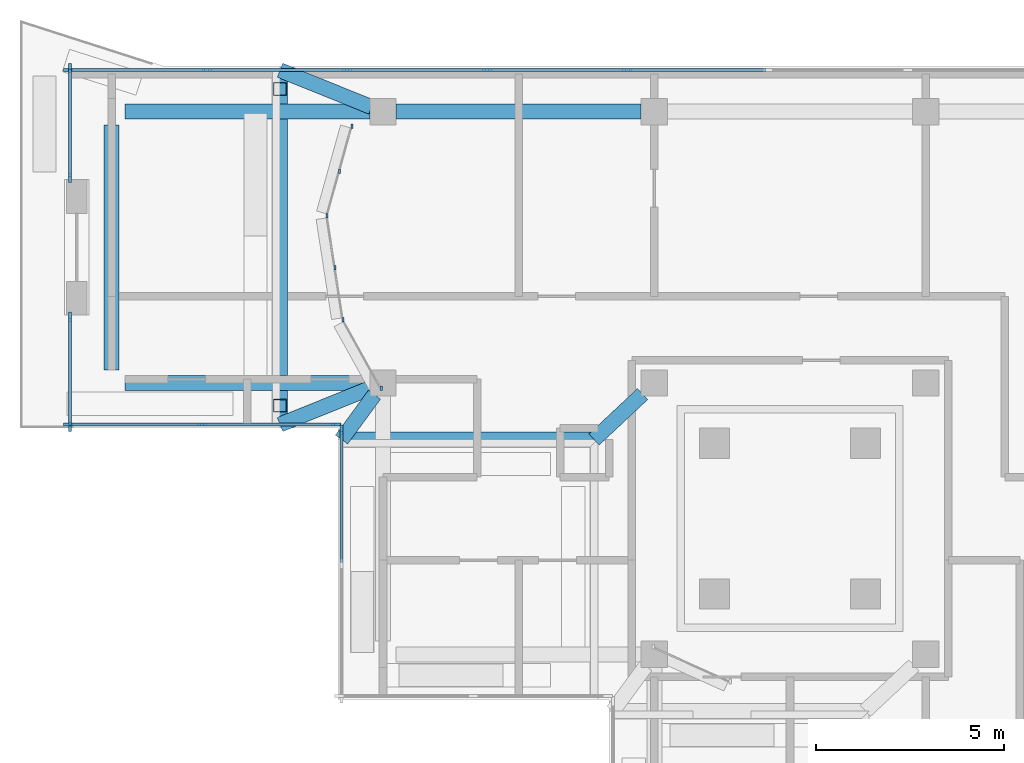
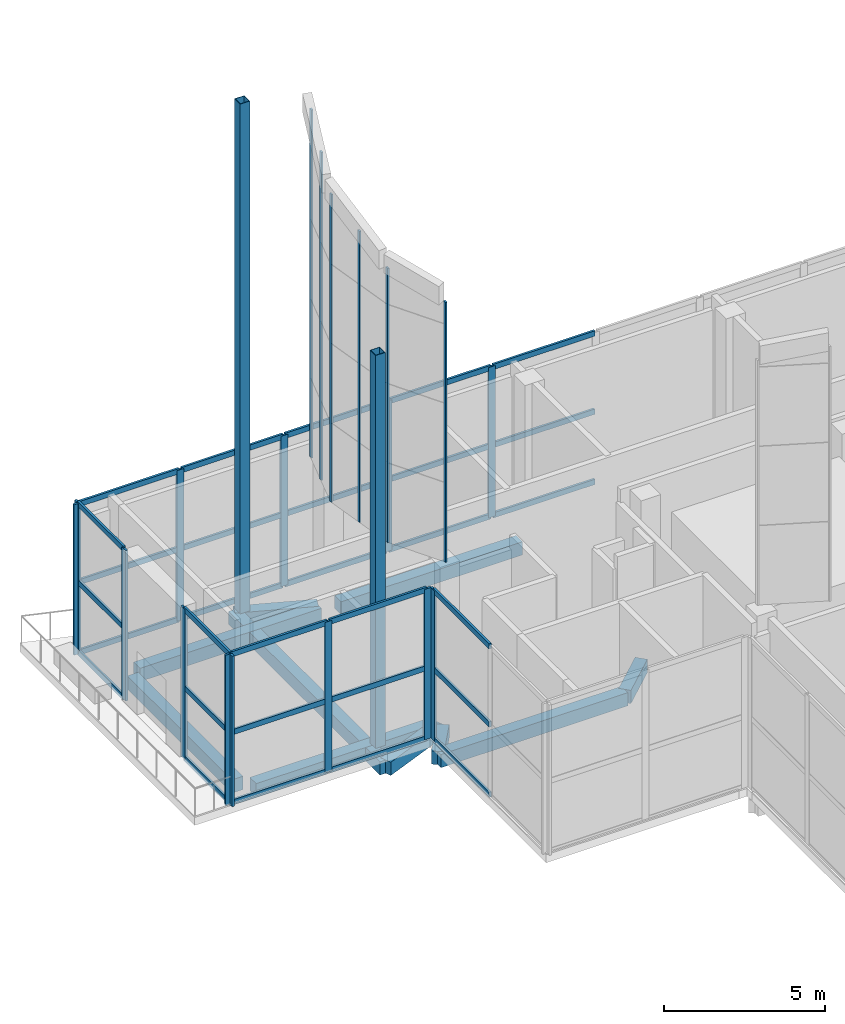
# One storey, part 6 of 19: 51 members, 10 beams, 8 elements without a shape of their own.
"""IFC4 building model written with IfcOpenShell, lengths in metres."""

from ifc_helpers import new_model, si_unit, direction, frame, origin, origin_2d, place, context, subcontext, project, spatial, rectangle, hollow_rectangle, extrude, material, material_profile, profile_set, type_object, element, aggregate, save


model = new_model("IFC4")

# Units and contexts
model_context = context("Model", 3, precision=1e-05, world=origin(), true_north=direction((0.0, 1.0)))
body_context = subcontext(model_context, "Body", "Model", "MODEL_VIEW")
ifc_project = project(units=[si_unit("LENGTHUNIT", "METRE"), si_unit("AREAUNIT", "SQUARE_METRE"), si_unit("VOLUMEUNIT", "CUBIC_METRE"), si_unit("PLANEANGLEUNIT", "RADIAN"), si_unit("MASSUNIT", "GRAM", prefix="KILO")], contexts=[model_context])

# Site, building, storey
site_placement = place(None, origin())
site = spatial("IfcSite", under=ifc_project, at=site_placement, CompositionType="ELEMENT")
building_placement = place(site_placement, origin())
building = spatial("IfcBuilding", under=site, at=building_placement, Name="Windrow Commons", CompositionType="ELEMENT")
storey_placement = place(building_placement, frame((0.0, 0.0, 284.6)))
storey = spatial("IfcBuildingStorey", under=building, at=storey_placement, Name="L78", CompositionType="ELEMENT", Elevation=284.6)

# Curtain wall, members
ifc_material_1 = material(Name="Clear laminated glass in Aluminium 6063-T6 anodised frame", Category="aluminium")
curtain_wall_type_1 = type_object("IfcCurtainWallType", Name="Curtain wall CW3 damper floor", PredefinedType="USERDEFINED", material=ifc_material_1)
placement = place(storey_placement, origin())
curtain_wall_1 = element("IfcCurtainWall", 1, at=placement, inside=storey, type_object=curtain_wall_type_1, Name="Curtain wall CW3 L78 5", ObjectType="STRUCTURAL SILICONE", PredefinedType="USERDEFINED")
ifc_material_2 = material(Name="Aluminium 6063-T6", Category="aluminium")
ifc_material_profile_1 = material_profile(ifc_material_2, rectangle(XDim=0.08, YDim=0.25, at=origin_2d()))
ifc_profile_set_1 = profile_set([ifc_material_profile_1], Name="Aluminium 6063-T6")
member_type_1 = type_object("IfcMemberType", Name="CW3 mullion 80x250", PredefinedType="MULLION", material=ifc_profile_set_1)
member_1_placement = place(storey_placement, frame((42.4849, 73.1, 0.0), z_axis=(0.0, 0.0, 1.0), x_axis=(0.0, -1.0, 0.0)))
member_1 = element("IfcMember", 2, at=member_1_placement, type_object=member_type_1, Name="CW3 mullion 11", PredefinedType="MULLION", context=body_context, shape_type="SweptSolid", body=[
    extrude(rectangle(XDim=0.08, YDim=0.25, at=origin_2d()), origin(), (0.0, 0.0, 1.0), 5.7),
])
member_2_placement = place(storey_placement, frame((38.7637, 73.1, 0.0), z_axis=(0.0, 0.0, 1.0), x_axis=(0.0, -1.0, 0.0)))
member_2 = element("IfcMember", 3, at=member_2_placement, type_object=member_type_1, Name="CW3 mullion 12", PredefinedType="MULLION", context=body_context, shape_type="SweptSolid", body=[
    extrude(rectangle(XDim=0.08, YDim=0.25, at=origin_2d()), origin(), (0.0, 0.0, 1.0), 5.7),
])
member_3_placement = place(storey_placement, frame((35.0424, 73.1, 0.0), z_axis=(0.0, 0.0, 1.0), x_axis=(0.0, -1.0, 0.0)))
member_3 = element("IfcMember", 4, at=member_3_placement, type_object=member_type_1, Name="CW3 mullion 13", PredefinedType="MULLION", context=body_context, shape_type="SweptSolid", body=[
    extrude(rectangle(XDim=0.08, YDim=0.25, at=origin_2d()), origin(), (0.0, 0.0, 1.0), 5.7),
])
member_4_placement = place(storey_placement, frame((31.3212, 73.1, 0.0), z_axis=(0.0, 0.0, 1.0), x_axis=(0.0, -1.0, 0.0)))
member_4 = element("IfcMember", 5, at=member_4_placement, type_object=member_type_1, Name="CW3 mullion 14", PredefinedType="MULLION", context=body_context, shape_type="SweptSolid", body=[
    extrude(rectangle(XDim=0.08, YDim=0.25, at=origin_2d()), origin(), (0.0, 0.0, 1.0), 5.7),
])
member_5_placement = place(storey_placement, frame((27.64, 73.1, 0.0), z_axis=(0.0, 0.0, 1.0), x_axis=(0.0, -1.0, 0.0)))
member_5 = element("IfcMember", 6, at=member_5_placement, type_object=member_type_1, Name="CW3 mullion 15", PredefinedType="MULLION", context=body_context, shape_type="SweptSolid", body=[
    extrude(rectangle(XDim=0.08, YDim=0.25, at=origin_2d()), origin(), (0.0, 0.0, 1.0), 5.7),
])

curtain_wall_2 = element("IfcCurtainWall", 7, at=placement, inside=storey, type_object=curtain_wall_type_1, Name="Curtain wall CW3 L78 6.1", ObjectType="STRUCTURAL SILICONE", PredefinedType="USERDEFINED")
member_6_placement = place(storey_placement, frame((27.7, 73.16, 0.0), z_axis=(0.0, 0.0, 1.0), x_axis=(1.0, 0.0, 0.0)))
member_6 = element("IfcMember", 8, at=member_6_placement, type_object=member_type_1, Name="CW3 mullion 1", PredefinedType="MULLION", context=body_context, shape_type="SweptSolid", body=[
    extrude(rectangle(XDim=0.08, YDim=0.25, at=origin_2d()), origin(), (0.0, 0.0, 1.0), 5.7),
])
member_7_placement = place(storey_placement, frame((27.7, 70.24, 0.0), z_axis=(0.0, 0.0, 1.0), x_axis=(1.0, 0.0, 0.0)))
member_7 = element("IfcMember", 9, at=member_7_placement, type_object=member_type_1, Name="CW3 mullion 2", PredefinedType="MULLION", context=body_context, shape_type="SweptSolid", body=[
    extrude(rectangle(XDim=0.08, YDim=0.25, at=origin_2d()), origin(), (0.0, 0.0, 1.0), 5.7),
])

curtain_wall_3 = element("IfcCurtainWall", 10, at=placement, inside=storey, type_object=curtain_wall_type_1, Name="Curtain wall CW3 L78 6.2", ObjectType="STRUCTURAL SILICONE", PredefinedType="USERDEFINED")
member_8_placement = place(storey_placement, frame((27.7, 66.56, 0.0), z_axis=(0.0, 0.0, 1.0), x_axis=(1.0, 0.0, 0.0)))
member_8 = element("IfcMember", 11, at=member_8_placement, type_object=member_type_1, Name="CW3 mullion 1", PredefinedType="MULLION", context=body_context, shape_type="SweptSolid", body=[
    extrude(rectangle(XDim=0.08, YDim=0.25, at=origin_2d()), origin(), (0.0, 0.0, 1.0), 5.7),
])
member_9_placement = place(storey_placement, frame((27.7, 63.64, 0.0), z_axis=(0.0, 0.0, 1.0), x_axis=(1.0, 0.0, 0.0)))
member_9 = element("IfcMember", 12, at=member_9_placement, type_object=member_type_1, Name="CW3 mullion 2", PredefinedType="MULLION", context=body_context, shape_type="SweptSolid", body=[
    extrude(rectangle(XDim=0.08, YDim=0.25, at=origin_2d()), origin(), (0.0, 0.0, 1.0), 5.7),
])

curtain_wall_4 = element("IfcCurtainWall", 13, at=placement, inside=storey, type_object=curtain_wall_type_1, Name="Curtain wall CW3 L78 7", ObjectType="STRUCTURAL SILICONE", PredefinedType="USERDEFINED")
member_10_placement = place(storey_placement, frame((27.64, 63.7, 0.0), z_axis=(0.0, 0.0, 1.0), x_axis=(0.0, 1.0, 0.0)))
member_10 = element("IfcMember", 14, at=member_10_placement, type_object=member_type_1, Name="CW3 mullion 1", PredefinedType="MULLION", context=body_context, shape_type="SweptSolid", body=[
    extrude(rectangle(XDim=0.08, YDim=0.25, at=origin_2d()), origin(), (0.0, 0.0, 1.0), 5.7),
])
member_11_placement = place(storey_placement, frame((31.2, 63.7, 0.0), z_axis=(0.0, 0.0, 1.0), x_axis=(0.0, 1.0, 0.0)))
member_11 = element("IfcMember", 15, at=member_11_placement, type_object=member_type_1, Name="CW3 mullion 2", PredefinedType="MULLION", context=body_context, shape_type="SweptSolid", body=[
    extrude(rectangle(XDim=0.08, YDim=0.25, at=origin_2d()), origin(), (0.0, 0.0, 1.0), 5.7),
])
member_12_placement = place(storey_placement, frame((34.76, 63.7, 0.0), z_axis=(0.0, 0.0, 1.0), x_axis=(0.0, 1.0, 0.0)))
member_12 = element("IfcMember", 16, at=member_12_placement, type_object=member_type_1, Name="CW3 mullion 3", PredefinedType="MULLION", context=body_context, shape_type="SweptSolid", body=[
    extrude(rectangle(XDim=0.08, YDim=0.25, at=origin_2d()), origin(), (0.0, 0.0, 1.0), 5.7),
])

# Curtain wall, member
curtain_wall_5 = element("IfcCurtainWall", 17, at=placement, inside=storey, type_object=curtain_wall_type_1, Name="Curtain wall CW3 L78 8", ObjectType="STRUCTURAL SILICONE", PredefinedType="USERDEFINED")
member_13_placement = place(storey_placement, frame((34.9, 63.56, 0.0), z_axis=(0.0, 0.0, 1.0), x_axis=(1.0, 0.0, 0.0)))
member_13 = element("IfcMember", 18, at=member_13_placement, type_object=member_type_1, Name="CW3 mullion 1", PredefinedType="MULLION", context=body_context, shape_type="SweptSolid", body=[
    extrude(rectangle(XDim=0.08, YDim=0.25, at=origin_2d()), origin(), (0.0, 0.0, 1.0), 5.7),
])

# Member
ifc_material_3 = material(Name="Aluminium 6063-T6", Category="aluminium")
ifc_material_profile_2 = material_profile(ifc_material_3, rectangle(XDim=0.08, YDim=0.2, at=origin_2d()))
ifc_profile_set_2 = profile_set([ifc_material_profile_2], Name="Aluminium 6063-T6")
member_type_2 = type_object("IfcMemberType", Name="CW3 transom 80x200", PredefinedType="USERDEFINED", material=ifc_profile_set_2)
member_14_placement = place(storey_placement, frame((46.1661, 73.1, 0.04), z_axis=(-1.0, 0.0, 0.0), x_axis=(0.0, -1.0, 0.0)))
member_14 = element("IfcMember", 19, at=member_14_placement, type_object=member_type_2, Name="CW3 transom 10.1", ObjectType="TRANSOM", PredefinedType="USERDEFINED", context=body_context, shape_type="SweptSolid", body=[
    extrude(rectangle(XDim=0.08, YDim=0.2, at=origin_2d()), origin(), (0.0, 0.0, 1.0), 3.6412),
])

member_15_placement = place(storey_placement, frame((46.1661, 73.1, 2.7), z_axis=(-1.0, 0.0, 0.0), x_axis=(0.0, -1.0, 0.0)))
member_15 = element("IfcMember", 20, at=member_15_placement, type_object=member_type_2, Name="CW3 transom 10.2", ObjectType="TRANSOM", PredefinedType="USERDEFINED", context=body_context, shape_type="SweptSolid", body=[
    extrude(rectangle(XDim=0.08, YDim=0.2, at=origin_2d()), origin(), (0.0, 0.0, 1.0), 3.6412),
])

member_16_placement = place(storey_placement, frame((46.1661, 73.1, 5.66), z_axis=(-1.0, 0.0, 0.0), x_axis=(0.0, -1.0, 0.0)))
member_16 = element("IfcMember", 21, at=member_16_placement, type_object=member_type_2, Name="CW3 transom 10.3", ObjectType="TRANSOM", PredefinedType="USERDEFINED", context=body_context, shape_type="SweptSolid", body=[
    extrude(rectangle(XDim=0.08, YDim=0.2, at=origin_2d()), origin(), (0.0, 0.0, 1.0), 3.6412),
])

member_17_placement = place(storey_placement, frame((42.4449, 73.1, 0.04), z_axis=(-1.0, 0.0, 0.0), x_axis=(0.0, -1.0, 0.0)))
member_17 = element("IfcMember", 22, at=member_17_placement, type_object=member_type_2, Name="CW3 transom 11.1", ObjectType="TRANSOM", PredefinedType="USERDEFINED", context=body_context, shape_type="SweptSolid", body=[
    extrude(rectangle(XDim=0.08, YDim=0.2, at=origin_2d()), origin(), (0.0, 0.0, 1.0), 3.6412),
])

member_18_placement = place(storey_placement, frame((42.4449, 73.1, 2.7), z_axis=(-1.0, 0.0, 0.0), x_axis=(0.0, -1.0, 0.0)))
member_18 = element("IfcMember", 23, at=member_18_placement, type_object=member_type_2, Name="CW3 transom 11.2", ObjectType="TRANSOM", PredefinedType="USERDEFINED", context=body_context, shape_type="SweptSolid", body=[
    extrude(rectangle(XDim=0.08, YDim=0.2, at=origin_2d()), origin(), (0.0, 0.0, 1.0), 3.6412),
])

member_19_placement = place(storey_placement, frame((42.4449, 73.1, 5.66), z_axis=(-1.0, 0.0, 0.0), x_axis=(0.0, -1.0, 0.0)))
member_19 = element("IfcMember", 24, at=member_19_placement, type_object=member_type_2, Name="CW3 transom 11.3", ObjectType="TRANSOM", PredefinedType="USERDEFINED", context=body_context, shape_type="SweptSolid", body=[
    extrude(rectangle(XDim=0.08, YDim=0.2, at=origin_2d()), origin(), (0.0, 0.0, 1.0), 3.6412),
])

member_20_placement = place(storey_placement, frame((38.7237, 73.1, 0.04), z_axis=(-1.0, 0.0, 0.0), x_axis=(0.0, -1.0, 0.0)))
member_20 = element("IfcMember", 25, at=member_20_placement, type_object=member_type_2, Name="CW3 transom 12.1", ObjectType="TRANSOM", PredefinedType="USERDEFINED", context=body_context, shape_type="SweptSolid", body=[
    extrude(rectangle(XDim=0.08, YDim=0.2, at=origin_2d()), origin(), (0.0, 0.0, 1.0), 3.6413),
])

member_21_placement = place(storey_placement, frame((38.7237, 73.1, 2.7), z_axis=(-1.0, 0.0, 0.0), x_axis=(0.0, -1.0, 0.0)))
member_21 = element("IfcMember", 26, at=member_21_placement, type_object=member_type_2, Name="CW3 transom 12.2", ObjectType="TRANSOM", PredefinedType="USERDEFINED", context=body_context, shape_type="SweptSolid", body=[
    extrude(rectangle(XDim=0.08, YDim=0.2, at=origin_2d()), origin(), (0.0, 0.0, 1.0), 3.6413),
])

member_22_placement = place(storey_placement, frame((38.7237, 73.1, 5.66), z_axis=(-1.0, 0.0, 0.0), x_axis=(0.0, -1.0, 0.0)))
member_22 = element("IfcMember", 27, at=member_22_placement, type_object=member_type_2, Name="CW3 transom 12.3", ObjectType="TRANSOM", PredefinedType="USERDEFINED", context=body_context, shape_type="SweptSolid", body=[
    extrude(rectangle(XDim=0.08, YDim=0.2, at=origin_2d()), origin(), (0.0, 0.0, 1.0), 3.6413),
])

member_23_placement = place(storey_placement, frame((35.0024, 73.1, 0.04), z_axis=(-1.0, 0.0, 0.0), x_axis=(0.0, -1.0, 0.0)))
member_23 = element("IfcMember", 28, at=member_23_placement, type_object=member_type_2, Name="CW3 transom 13.1", ObjectType="TRANSOM", PredefinedType="USERDEFINED", context=body_context, shape_type="SweptSolid", body=[
    extrude(rectangle(XDim=0.08, YDim=0.2, at=origin_2d()), origin(), (0.0, 0.0, 1.0), 3.6412),
])

member_24_placement = place(storey_placement, frame((35.0024, 73.1, 2.7), z_axis=(-1.0, 0.0, 0.0), x_axis=(0.0, -1.0, 0.0)))
member_24 = element("IfcMember", 29, at=member_24_placement, type_object=member_type_2, Name="CW3 transom 13.2", ObjectType="TRANSOM", PredefinedType="USERDEFINED", context=body_context, shape_type="SweptSolid", body=[
    extrude(rectangle(XDim=0.08, YDim=0.2, at=origin_2d()), origin(), (0.0, 0.0, 1.0), 3.6412),
])

member_25_placement = place(storey_placement, frame((35.0024, 73.1, 5.66), z_axis=(-1.0, 0.0, 0.0), x_axis=(0.0, -1.0, 0.0)))
member_25 = element("IfcMember", 30, at=member_25_placement, type_object=member_type_2, Name="CW3 transom 13.3", ObjectType="TRANSOM", PredefinedType="USERDEFINED", context=body_context, shape_type="SweptSolid", body=[
    extrude(rectangle(XDim=0.08, YDim=0.2, at=origin_2d()), origin(), (0.0, 0.0, 1.0), 3.6412),
])

member_26_placement = place(storey_placement, frame((31.2812, 73.1, 0.04), z_axis=(-1.0, 0.0, 0.0), x_axis=(0.0, -1.0, 0.0)))
member_26 = element("IfcMember", 31, at=member_26_placement, type_object=member_type_2, Name="CW3 transom 14.1", ObjectType="TRANSOM", PredefinedType="USERDEFINED", context=body_context, shape_type="SweptSolid", body=[
    extrude(rectangle(XDim=0.08, YDim=0.2, at=origin_2d()), origin(), (0.0, 0.0, 1.0), 3.6012),
])

member_27_placement = place(storey_placement, frame((31.2812, 73.1, 2.7), z_axis=(-1.0, 0.0, 0.0), x_axis=(0.0, -1.0, 0.0)))
member_27 = element("IfcMember", 32, at=member_27_placement, type_object=member_type_2, Name="CW3 transom 14.2", ObjectType="TRANSOM", PredefinedType="USERDEFINED", context=body_context, shape_type="SweptSolid", body=[
    extrude(rectangle(XDim=0.08, YDim=0.2, at=origin_2d()), origin(), (0.0, 0.0, 1.0), 3.6012),
])

member_28_placement = place(storey_placement, frame((31.2812, 73.1, 5.66), z_axis=(-1.0, 0.0, 0.0), x_axis=(0.0, -1.0, 0.0)))
member_28 = element("IfcMember", 33, at=member_28_placement, type_object=member_type_2, Name="CW3 transom 14.3", ObjectType="TRANSOM", PredefinedType="USERDEFINED", context=body_context, shape_type="SweptSolid", body=[
    extrude(rectangle(XDim=0.08, YDim=0.2, at=origin_2d()), origin(), (0.0, 0.0, 1.0), 3.6012),
])

aggregate(curtain_wall_1, [member_1, member_2, member_3, member_4, member_5, member_14, member_15, member_16, member_17, member_18, member_19, member_20, member_21, member_22, member_23, member_24, member_25, member_26, member_27, member_28])

member_29_placement = place(storey_placement, frame((27.7, 73.12, 0.04), z_axis=(0.0, -1.0, 0.0), x_axis=(1.0, 0.0, 0.0)))
member_29 = element("IfcMember", 34, at=member_29_placement, type_object=member_type_2, Name="CW3 transom 1.1", ObjectType="TRANSOM", PredefinedType="USERDEFINED", context=body_context, shape_type="SweptSolid", body=[
    extrude(rectangle(XDim=0.08, YDim=0.2, at=origin_2d()), origin(), (0.0, 0.0, 1.0), 2.84),
])

member_30_placement = place(storey_placement, frame((27.7, 73.12, 2.7), z_axis=(0.0, -1.0, 0.0), x_axis=(1.0, 0.0, 0.0)))
member_30 = element("IfcMember", 35, at=member_30_placement, type_object=member_type_2, Name="CW3 transom 1.2", ObjectType="TRANSOM", PredefinedType="USERDEFINED", context=body_context, shape_type="SweptSolid", body=[
    extrude(rectangle(XDim=0.08, YDim=0.2, at=origin_2d()), origin(), (0.0, 0.0, 1.0), 2.84),
])

member_31_placement = place(storey_placement, frame((27.7, 73.12, 5.66), z_axis=(0.0, -1.0, 0.0), x_axis=(1.0, 0.0, 0.0)))
member_31 = element("IfcMember", 36, at=member_31_placement, type_object=member_type_2, Name="CW3 transom 1.3", ObjectType="TRANSOM", PredefinedType="USERDEFINED", context=body_context, shape_type="SweptSolid", body=[
    extrude(rectangle(XDim=0.08, YDim=0.2, at=origin_2d()), origin(), (0.0, 0.0, 1.0), 2.84),
])

aggregate(curtain_wall_2, [member_6, member_7, member_29, member_30, member_31])

member_32_placement = place(storey_placement, frame((27.7, 66.52, 0.04), z_axis=(0.0, -1.0, 0.0), x_axis=(1.0, 0.0, 0.0)))
member_32 = element("IfcMember", 37, at=member_32_placement, type_object=member_type_2, Name="CW3 transom 1.1", ObjectType="TRANSOM", PredefinedType="USERDEFINED", context=body_context, shape_type="SweptSolid", body=[
    extrude(rectangle(XDim=0.08, YDim=0.2, at=origin_2d()), origin(), (0.0, 0.0, 1.0), 2.84),
])

member_33_placement = place(storey_placement, frame((27.7, 66.52, 2.7), z_axis=(0.0, -1.0, 0.0), x_axis=(1.0, 0.0, 0.0)))
member_33 = element("IfcMember", 38, at=member_33_placement, type_object=member_type_2, Name="CW3 transom 1.2", ObjectType="TRANSOM", PredefinedType="USERDEFINED", context=body_context, shape_type="SweptSolid", body=[
    extrude(rectangle(XDim=0.08, YDim=0.2, at=origin_2d()), origin(), (0.0, 0.0, 1.0), 2.84),
])

member_34_placement = place(storey_placement, frame((27.7, 66.52, 5.66), z_axis=(0.0, -1.0, 0.0), x_axis=(1.0, 0.0, 0.0)))
member_34 = element("IfcMember", 39, at=member_34_placement, type_object=member_type_2, Name="CW3 transom 1.3", ObjectType="TRANSOM", PredefinedType="USERDEFINED", context=body_context, shape_type="SweptSolid", body=[
    extrude(rectangle(XDim=0.08, YDim=0.2, at=origin_2d()), origin(), (0.0, 0.0, 1.0), 2.84),
])

aggregate(curtain_wall_3, [member_8, member_9, member_32, member_33, member_34])

member_35_placement = place(storey_placement, frame((27.68, 63.7, 0.04), z_axis=(1.0, 0.0, 0.0), x_axis=(0.0, 1.0, 0.0)))
member_35 = element("IfcMember", 40, at=member_35_placement, type_object=member_type_2, Name="CW3 transom 1.1", ObjectType="TRANSOM", PredefinedType="USERDEFINED", context=body_context, shape_type="SweptSolid", body=[
    extrude(rectangle(XDim=0.08, YDim=0.2, at=origin_2d()), origin(), (0.0, 0.0, 1.0), 3.48),
])

member_36_placement = place(storey_placement, frame((27.68, 63.7, 2.7), z_axis=(1.0, 0.0, 0.0), x_axis=(0.0, 1.0, 0.0)))
member_36 = element("IfcMember", 41, at=member_36_placement, type_object=member_type_2, Name="CW3 transom 1.2", ObjectType="TRANSOM", PredefinedType="USERDEFINED", context=body_context, shape_type="SweptSolid", body=[
    extrude(rectangle(XDim=0.08, YDim=0.2, at=origin_2d()), origin(), (0.0, 0.0, 1.0), 3.48),
])

member_37_placement = place(storey_placement, frame((27.68, 63.7, 5.66), z_axis=(1.0, 0.0, 0.0), x_axis=(0.0, 1.0, 0.0)))
member_37 = element("IfcMember", 42, at=member_37_placement, type_object=member_type_2, Name="CW3 transom 1.3", ObjectType="TRANSOM", PredefinedType="USERDEFINED", context=body_context, shape_type="SweptSolid", body=[
    extrude(rectangle(XDim=0.08, YDim=0.2, at=origin_2d()), origin(), (0.0, 0.0, 1.0), 3.48),
])

member_38_placement = place(storey_placement, frame((31.24, 63.7, 0.04), z_axis=(1.0, 0.0, 0.0), x_axis=(0.0, 1.0, 0.0)))
member_38 = element("IfcMember", 43, at=member_38_placement, type_object=member_type_2, Name="CW3 transom 2.1", ObjectType="TRANSOM", PredefinedType="USERDEFINED", context=body_context, shape_type="SweptSolid", body=[
    extrude(rectangle(XDim=0.08, YDim=0.2, at=origin_2d()), origin(), (0.0, 0.0, 1.0), 3.48),
])

member_39_placement = place(storey_placement, frame((31.24, 63.7, 2.7), z_axis=(1.0, 0.0, 0.0), x_axis=(0.0, 1.0, 0.0)))
member_39 = element("IfcMember", 44, at=member_39_placement, type_object=member_type_2, Name="CW3 transom 2.2", ObjectType="TRANSOM", PredefinedType="USERDEFINED", context=body_context, shape_type="SweptSolid", body=[
    extrude(rectangle(XDim=0.08, YDim=0.2, at=origin_2d()), origin(), (0.0, 0.0, 1.0), 3.48),
])

member_40_placement = place(storey_placement, frame((31.24, 63.7, 5.66), z_axis=(1.0, 0.0, 0.0), x_axis=(0.0, 1.0, 0.0)))
member_40 = element("IfcMember", 45, at=member_40_placement, type_object=member_type_2, Name="CW3 transom 2.3", ObjectType="TRANSOM", PredefinedType="USERDEFINED", context=body_context, shape_type="SweptSolid", body=[
    extrude(rectangle(XDim=0.08, YDim=0.2, at=origin_2d()), origin(), (0.0, 0.0, 1.0), 3.48),
])

aggregate(curtain_wall_4, [member_10, member_11, member_12, member_35, member_36, member_37, member_38, member_39, member_40])

member_41_placement = place(storey_placement, frame((34.9, 63.52, 0.04), z_axis=(0.0, -1.0, 0.0), x_axis=(1.0, 0.0, 0.0)))
member_41 = element("IfcMember", 46, at=member_41_placement, type_object=member_type_2, Name="CW3 transom 1.1", ObjectType="TRANSOM", PredefinedType="USERDEFINED", context=body_context, shape_type="SweptSolid", body=[
    extrude(rectangle(XDim=0.08, YDim=0.2, at=origin_2d()), origin(), (0.0, 0.0, 1.0), 3.48),
])

member_42_placement = place(storey_placement, frame((34.9, 63.52, 2.7), z_axis=(0.0, -1.0, 0.0), x_axis=(1.0, 0.0, 0.0)))
member_42 = element("IfcMember", 47, at=member_42_placement, type_object=member_type_2, Name="CW3 transom 1.2", ObjectType="TRANSOM", PredefinedType="USERDEFINED", context=body_context, shape_type="SweptSolid", body=[
    extrude(rectangle(XDim=0.08, YDim=0.2, at=origin_2d()), origin(), (0.0, 0.0, 1.0), 3.48),
])

member_43_placement = place(storey_placement, frame((34.9, 63.52, 5.66), z_axis=(0.0, -1.0, 0.0), x_axis=(1.0, 0.0, 0.0)))
member_43 = element("IfcMember", 48, at=member_43_placement, type_object=member_type_2, Name="CW3 transom 1.3", ObjectType="TRANSOM", PredefinedType="USERDEFINED", context=body_context, shape_type="SweptSolid", body=[
    extrude(rectangle(XDim=0.08, YDim=0.2, at=origin_2d()), origin(), (0.0, 0.0, 1.0), 3.48),
])

aggregate(curtain_wall_5, [member_13, member_41, member_42, member_43])

# Curtain wall, members
ifc_material_4 = material(Name="Laminated glass in anodised aluminium frame", Category="aluminium")
curtain_wall_type_2 = type_object("IfcCurtainWallType", Name="Curtain wall crown terrace screen", PredefinedType="USERDEFINED", material=ifc_material_4)
curtain_wall_6 = element("IfcCurtainWall", 49, at=placement, inside=storey, type_object=curtain_wall_type_2, Name="Glazed crown screen L78", ObjectType="STICK", PredefinedType="USERDEFINED")
ifc_material_5 = material(Name="Anodised aluminium", Category="aluminium")
ifc_material_profile_3 = material_profile(ifc_material_5, rectangle(XDim=0.06, YDim=0.12, at=origin_2d()))
ifc_profile_set_3 = profile_set([ifc_material_profile_3], Name="Anodised aluminium")
member_type_3 = type_object("IfcMemberType", Name="Crown screen mullion 60x120", PredefinedType="MULLION", material=ifc_profile_set_3)
member_44_placement = place(storey_placement, frame((35.9539, 64.6552, 5.7), z_axis=(0.0, 0.0, 1.0), x_axis=(1.0, 0.0, 0.0)))
member_44 = element("IfcMember", 50, at=member_44_placement, type_object=member_type_3, Name="Crown screen mullion L78", PredefinedType="MULLION", context=body_context, shape_type="SweptSolid", body=[
    extrude(rectangle(XDim=0.06, YDim=0.12, at=origin_2d()), origin(), (0.0, 0.0, 1.0), 9.8486),
])
member_45_placement = place(storey_placement, frame((34.9389, 66.4814, 5.7), z_axis=(0.0, 0.0, 1.0), x_axis=(1.0, 0.0, 0.0)))
member_45 = element("IfcMember", 51, at=member_45_placement, type_object=member_type_3, Name="Crown screen mullion L78", PredefinedType="MULLION", context=body_context, shape_type="SweptSolid", body=[
    extrude(rectangle(XDim=0.06, YDim=0.12, at=origin_2d()), origin(), (0.0, 0.0, 1.0), 10.3828),
])
aggregate(curtain_wall_6, [member_44, member_45])

curtain_wall_7 = element("IfcCurtainWall", 52, at=placement, inside=storey, type_object=curtain_wall_type_2, Name="Glazed crown screen L78", ObjectType="STICK", PredefinedType="USERDEFINED")
member_46_placement = place(storey_placement, frame((34.7269, 67.8583, 5.7), z_axis=(0.0, 0.0, 1.0), x_axis=(1.0, 0.0, 0.0)))
member_46 = element("IfcMember", 53, at=member_46_placement, type_object=member_type_3, Name="Crown screen mullion L78", PredefinedType="MULLION", context=body_context, shape_type="SweptSolid", body=[
    extrude(rectangle(XDim=0.06, YDim=0.12, at=origin_2d()), origin(), (0.0, 0.0, 1.0), 11.0187),
])
member_47_placement = place(storey_placement, frame((34.5149, 69.2352, 5.7), z_axis=(0.0, 0.0, 1.0), x_axis=(1.0, 0.0, 0.0)))
member_47 = element("IfcMember", 54, at=member_47_placement, type_object=member_type_3, Name="Crown screen mullion L78", PredefinedType="MULLION", context=body_context, shape_type="SweptSolid", body=[
    extrude(rectangle(XDim=0.06, YDim=0.12, at=origin_2d()), origin(), (0.0, 0.0, 1.0), 11.6545),
])
aggregate(curtain_wall_7, [member_46, member_47])

curtain_wall_8 = element("IfcCurtainWall", 55, at=placement, inside=storey, type_object=curtain_wall_type_2, Name="Glazed crown screen L78", ObjectType="STICK", PredefinedType="USERDEFINED")
member_48_placement = place(storey_placement, frame((34.8459, 70.4242, 5.7), z_axis=(0.0, 0.0, 1.0), x_axis=(1.0, 0.0, 0.0)))
member_48 = element("IfcMember", 56, at=member_48_placement, type_object=member_type_3, Name="Crown screen mullion L78", PredefinedType="MULLION", context=body_context, shape_type="SweptSolid", body=[
    extrude(rectangle(XDim=0.06, YDim=0.12, at=origin_2d()), origin(), (0.0, 0.0, 1.0), 12.4202),
])
member_49_placement = place(storey_placement, frame((35.1769, 71.6131, 5.7), z_axis=(0.0, 0.0, 1.0), x_axis=(1.0, 0.0, 0.0)))
member_49 = element("IfcMember", 57, at=member_49_placement, type_object=member_type_3, Name="Crown screen mullion L78", PredefinedType="MULLION", context=body_context, shape_type="SweptSolid", body=[
    extrude(rectangle(XDim=0.06, YDim=0.12, at=origin_2d()), origin(), (0.0, 0.0, 1.0), 13.1859),
])
aggregate(curtain_wall_8, [member_48, member_49])

# Beams
ifc_material_6 = material(Name="Concrete C40/50", Category="concrete")
ifc_material_profile_4 = material_profile(ifc_material_6, rectangle(XDim=0.4, YDim=0.5, at=origin_2d()))
ifc_profile_set_4 = profile_set([ifc_material_profile_4], Name="Concrete C40/50")
beam_type = type_object("IfcBeamType", Name="RC EDGE BEAM 400x500 C40/50", PredefinedType="SPANDREL", material=ifc_profile_set_4)
beam_1_placement = place(storey_placement, frame((33.267, 73.1, -0.55), z_axis=(0.0, -1.0, 0.0), x_axis=(1.0, 0.0, 0.0)))
element("IfcBeam", 58, at=beam_1_placement, inside=storey, type_object=beam_type, Name="Terrace base beam TR-L78-1", PredefinedType="SPANDREL", context=body_context, shape_type="SweptSolid", body=[
    extrude(rectangle(XDim=0.4, YDim=0.5, at=origin_2d()), origin(), (0.0, 0.0, 1.0), 9.4),
])
for number, where, z_axis, x_axis, name in (
    (59, (35.6964, 72.1222, -0.55), (-0.9276792496, 0.3733781058, 0.0), (-0.3733781058, -0.9276792496, 0.0), "Terrace base bracket beam TR-L78-1.1"),
    (60, (35.6964, 64.6778, -0.55), (-0.9276792496, -0.3733781058, 0.0), (0.3733781058, -0.9276792496, 0.0), "Terrace base bracket beam TR-L78-1.2"),
):
    element("IfcBeam", number, at=place(storey_placement, frame(where, z_axis=z_axis, x_axis=x_axis)), inside=storey, type_object=beam_type, Name=name, PredefinedType="SPANDREL", context=body_context, shape_type="SweptSolid", body=[
        extrude(rectangle(XDim=0.4, YDim=0.5, at=origin_2d()), origin(), (0.0, 0.0, 1.0), 2.6188),
    ])
beam_2_placement = place(storey_placement, frame((34.9, 63.3, -0.55), z_axis=(1.0, 0.0, 0.0), x_axis=(0.0, 1.0, 0.0)))
element("IfcBeam", 61, at=beam_2_placement, inside=storey, type_object=beam_type, Name="Terrace base beam TR-L78-2", PredefinedType="SPANDREL", context=body_context, shape_type="SweptSolid", body=[
    extrude(rectangle(XDim=0.4, YDim=0.5, at=origin_2d()), origin(), (0.0, 0.0, 1.0), 6.7),
])
beam_3_placement = place(storey_placement, frame((35.7729, 64.4903, -0.55), z_axis=(-0.5913695377, -0.8064006882, 0.0), x_axis=(0.8064006882, -0.5913695377, 0.0)))
element("IfcBeam", 62, at=beam_3_placement, inside=storey, type_object=beam_type, Name="Terrace base bracket beam TR-L78-2.1", PredefinedType="SPANDREL", context=body_context, shape_type="SweptSolid", body=[
    extrude(rectangle(XDim=0.4, YDim=0.5, at=origin_2d()), origin(), (0.0, 0.0, 1.0), 1.4761),
])
beam_4_placement = place(storey_placement, frame((42.8865, 64.5061, -0.55), z_axis=(-0.7295354357, -0.6839430152, 0.0), x_axis=(0.6839430152, -0.7295354357, 0.0)))
element("IfcBeam", 63, at=beam_4_placement, inside=storey, type_object=beam_type, Name="Terrace base bracket beam TR-L78-2.2", PredefinedType="SPANDREL", context=body_context, shape_type="SweptSolid", body=[
    extrude(rectangle(XDim=0.4, YDim=0.5, at=origin_2d()), origin(), (0.0, 0.0, 1.0), 1.7635),
])
for number, where, z_axis, x_axis, name in (
    (64, (35.65, 64.8, -0.55), (-1.0, 0.0, 0.0), (0.0, -1.0, 0.0), "Edge beam L78 007"),
    (65, (28.8, 65.15, -0.55), (0.0, 1.0, 0.0), (-1.0, 0.0, 0.0), "Edge beam L78 008"),
    (66, (29.15, 72.0, -0.55), (1.0, 0.0, 0.0), (0.0, 1.0, 0.0), "Edge beam L78 009"),
    (67, (36.35, 72.0, -0.55), (1.0, 0.0, 0.0), (0.0, 1.0, 0.0), "Edge beam L78 010"),
):
    element("IfcBeam", number, at=place(storey_placement, frame(where, z_axis=z_axis, x_axis=x_axis)), inside=storey, type_object=beam_type, Name=name, PredefinedType="SPANDREL", context=body_context, shape_type="SweptSolid", body=[
        extrude(rectangle(XDim=0.4, YDim=0.5, at=origin_2d()), origin(), (0.0, 0.0, 1.0), 6.5),
    ])

# Members
ifc_material_7 = material(Name="Steel S355", Category="steel")
ifc_material_profile_5 = material_profile(ifc_material_7, hollow_rectangle(XDim=0.35, YDim=0.35, WallThickness=0.02, at=origin_2d()))
ifc_profile_set_5 = profile_set([ifc_material_profile_5], Name="Steel S355")
member_type_4 = type_object("IfcMemberType", Name="STEEL crown roof post RHS350x350x20 S355", PredefinedType="POST", material=ifc_profile_set_5)
member_50_placement = place(storey_placement, frame((33.267, 72.6, 0.0), z_axis=(0.0, 0.0, 1.0), x_axis=(1.0, 0.0, 0.0)))
element("IfcMember", 68, at=member_50_placement, inside=storey, type_object=member_type_4, Name="Crown roof post TR-L78-1.1", PredefinedType="POST", context=body_context, shape_type="SweptSolid", body=[
    extrude(hollow_rectangle(XDim=0.35, YDim=0.35, WallThickness=0.02, at=origin_2d()), origin(), (0.0, 0.0, 1.0), 19.301),
])
member_51_placement = place(storey_placement, frame((33.267, 64.2, 0.0), z_axis=(0.0, 0.0, 1.0), x_axis=(1.0, 0.0, 0.0)))
element("IfcMember", 69, at=member_51_placement, inside=storey, type_object=member_type_4, Name="Crown roof post TR-L78-1.2", PredefinedType="POST", context=body_context, shape_type="SweptSolid", body=[
    extrude(hollow_rectangle(XDim=0.35, YDim=0.35, WallThickness=0.02, at=origin_2d()), origin(), (0.0, 0.0, 1.0), 14.8767),
])

save(model, "model.ifc")
